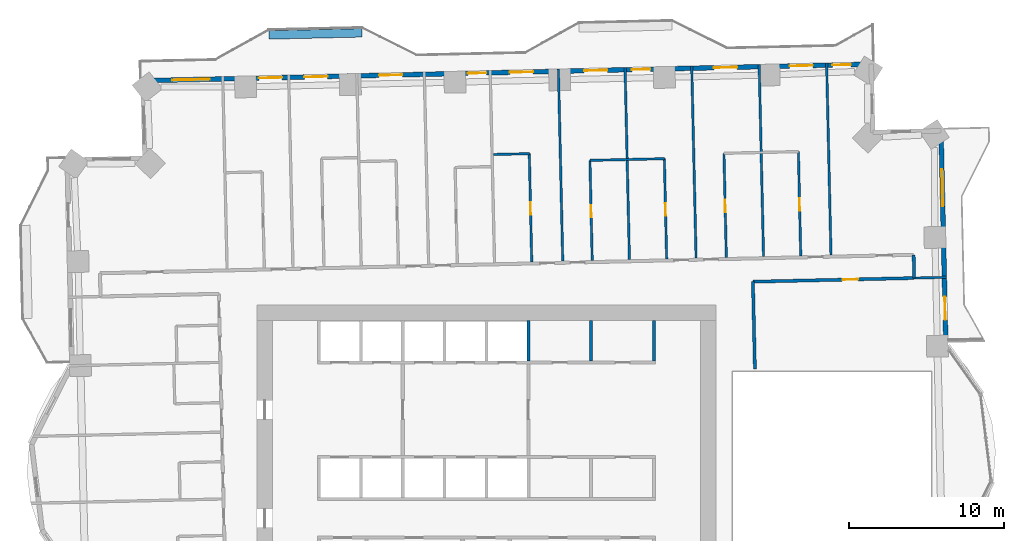
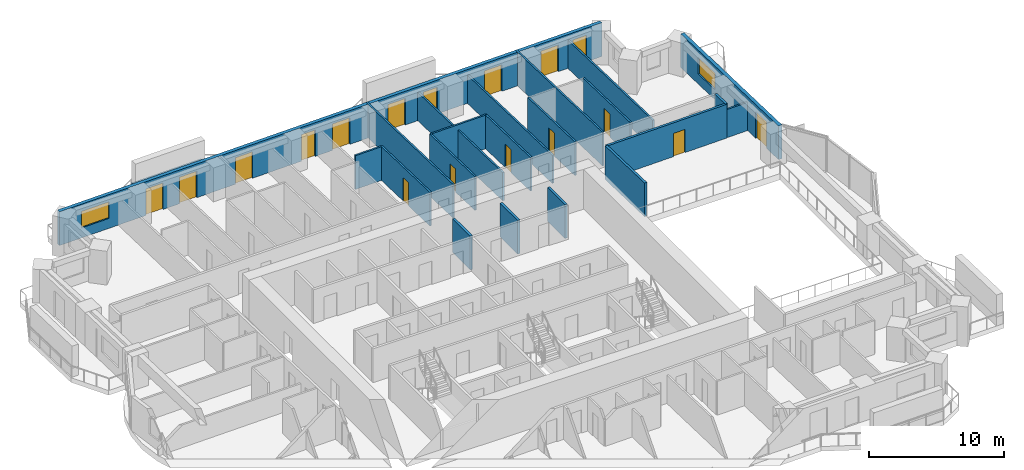
# One storey, part 12 of 17: 22 walls, 17 doors, 2 windows, 19 openings.
"""IFC4 building model written with IfcOpenShell, lengths in metres."""

from ifc_helpers import new_model, si_unit, direction, frame, frame_2d, origin, place, context, subcontext, project, spatial, rectangle, extrude, material, layer, layer_set, type_object, element, fill, save


model = new_model("IFC4")

# Units and contexts
model_context = context("Model", 3, precision=1e-05, world=origin(), true_north=direction((0.0, 1.0)))
body_context = subcontext(model_context, "Body", "Model", "MODEL_VIEW")
ifc_project = project(units=[si_unit("LENGTHUNIT", "METRE"), si_unit("AREAUNIT", "SQUARE_METRE"), si_unit("VOLUMEUNIT", "CUBIC_METRE"), si_unit("PLANEANGLEUNIT", "RADIAN"), si_unit("MASSUNIT", "GRAM", prefix="KILO")], contexts=[model_context])

# Site, building, storey
site_placement = place(None, origin())
site = spatial("IfcSite", under=ifc_project, at=site_placement, CompositionType="ELEMENT")
building_placement = place(site_placement, origin())
building = spatial("IfcBuilding", under=site, at=building_placement, Name="Mangrove Gate Tower", CompositionType="ELEMENT")
storey_placement = place(building_placement, frame((0.0, 0.0, 90.10009765625)))
storey = spatial("IfcBuildingStorey", under=building, at=storey_placement, Name="L22", CompositionType="ELEMENT", Elevation=90.10009765625)

# Walls
ifc_material_1 = material(Name="Concrete C32/40", Category="concrete")
ifc_layer_1 = layer(ifc_material_1, 0.199951171875)
ifc_layer_set_1 = layer_set([ifc_layer_1], Name="Core room wall 200 C32/40")
wall_type_1 = type_object("IfcWallType", Name="Core room wall 200 C32/40", PredefinedType="STANDARD", material=ifc_layer_set_1)
for number, where, z_axis, x_axis, name in (
    (1, (6.75, 8.199951171875, 0.0), (0.0, 0.0, 1.0), (0.0, 1.0, 0.0), "WALL-L22-CORE-33"),
    (2, (10.800048828125, 8.199951171875, 0.0), (0.0, 0.0, 1.0), (0.0, 1.0, 0.0), "WALL-L22-CORE-34"),
):
    element("IfcWall", number, at=place(storey_placement, frame(where, z_axis=z_axis, x_axis=x_axis)), inside=storey, type_object=wall_type_1, Name=name, PredefinedType="STANDARD", context=body_context, shape_type="SweptSolid", body=[
        extrude(rectangle(XDim=2.60009765625, YDim=0.199951171875, at=frame_2d((1.300048828125, 0.0))), origin(), (0.0, 0.0, 1.0), 3.0498046875),
    ])
ifc_material_2 = material(Name="Concrete C70/85", Category="concrete")
ifc_layer_2 = layer(ifc_material_2, 0.199951171875)
ifc_layer_set_2 = layer_set([ifc_layer_2], Name="Core shaft wall 200 C70/85")
wall_type_2 = type_object("IfcWallType", Name="Core shaft wall 200 C70/85", PredefinedType="SHEAR", material=ifc_layer_set_2)
wall_1_placement = place(storey_placement, frame((2.699951171875, 8.199951171875, 0.0), z_axis=(0.0, 0.0, 1.0), x_axis=(0.0, 1.0, 0.0)))
element("IfcWall", 3, at=wall_1_placement, inside=storey, type_object=wall_type_2, Name="WALL-L22-CORE-32", PredefinedType="SHEAR", context=body_context, shape_type="SweptSolid", body=[
    extrude(rectangle(XDim=2.60009765625, YDim=0.199951171875, at=frame_2d((1.300048828125, 0.0))), origin(), (0.0, 0.0, 1.0), 3.0498046875),
])
ifc_material_3 = material(Name="Gypsum board on steel stud, EI 60", Category="steel")
ifc_layer_3 = layer(ifc_material_3, 0.199951171875)
ifc_layer_set_3 = layer_set([ifc_layer_3], Name="Corridor wall EI 60")
wall_type_3 = type_object("IfcWallType", Name="Corridor wall EI 60", PredefinedType="PARTITIONING", material=ifc_layer_set_3)
wall_2_placement = place(storey_placement, frame((17.306884765625, 7.68603515625, 0.0), z_axis=(0.0, 0.0, 1.0), x_axis=(-0.022584272568, 0.999744942789, 0.0)))
element("IfcWall", 4, at=wall_2_placement, inside=storey, type_object=wall_type_3, Name="WALL-L22-049", PredefinedType="PARTITIONING", context=body_context, shape_type="SweptSolid", body=[
    extrude(rectangle(XDim=5.621337890625, YDim=0.199951171875, at=frame_2d((2.810546875, 0.0))), origin(), (0.0, 0.0, 1.0), 3.0498046875),
])

# Wall, opening, door
wall_3_placement = place(storey_placement, frame((17.176025390625, 13.305908203125, 0.0), z_axis=(0.0, 0.0, 1.0), x_axis=(0.999742295888, 0.022701141223, 0.0)))
wall_3 = element("IfcWall", 5, at=wall_3_placement, inside=storey, type_object=wall_type_3, Name="WALL-L22-056", PredefinedType="PARTITIONING", context=body_context, shape_type="SweptSolid", body=[
    extrude(rectangle(XDim=10.399658203125, YDim=0.199951171875, at=frame_2d((5.19970703125, 0.0))), origin(), (0.0, 0.0, 1.0), 3.0498046875),
])
opening_1_placement = place(wall_3_placement, frame((5.782958984375, 0.0, 0.0)))
opening_1 = element("IfcOpeningElement", 6, at=opening_1_placement, cuts=wall_3, Name="Opening AD", PredefinedType="OPENING", context=body_context, shape_type="SweptSolid", body=[
    extrude(rectangle(XDim=1.0, YDim=2.10009765625, at=frame_2d((0.5, 1.050048828125))), frame((0.0, 0.10986328125, 0.0), z_axis=(0.0, -1.0, 0.0), x_axis=(1.0, 0.0, 0.0)), (0.0, 0.0, 1.0), 0.219970703125),
])
ifc_material_4 = material(Name="Timber door leaf", Category="wood")
door_type_1 = type_object("IfcDoorType", Name="Amenity door 1000", OperationType="SINGLE_SWING_LEFT", PredefinedType="DOOR", material=ifc_material_4)
door_1_placement = place(opening_1_placement, origin())
door_1 = element("IfcDoor", 7, at=door_1_placement, inside=storey, type_object=door_type_1, Name="DOOR-L22-KIT-c3a", OperationType="SINGLE_SWING_RIGHT", OverallHeight=2.10009765625, OverallWidth=1.0, PredefinedType="DOOR", context=body_context, shape_type="SweptSolid", body=[
    extrude(rectangle(XDim=1.0, YDim=2.10009765625, at=frame_2d((0.5, 1.050048828125))), frame((0.0, 0.02490234375, 0.0), z_axis=(0.0, -1.0, 0.0), x_axis=(1.0, 0.0, 0.0)), (0.0, 0.0, 1.0), 0.050048828125),
])
fill(opening_1, door_1)

# Wall
wall_4_placement = place(storey_placement, frame((27.576904296875, 13.5419921875, 0.0), z_axis=(0.0, 0.0, 1.0), x_axis=(-0.022617910375, 0.999744182344, 0.0)))
element("IfcWall", 8, at=wall_4_placement, inside=storey, type_object=wall_type_3, Name="WALL-L22-058", PredefinedType="PARTITIONING", context=body_context, shape_type="SweptSolid", body=[
    extrude(rectangle(XDim=1.50048828125, YDim=0.199951171875, at=frame_2d((0.750244140625, 0.0))), origin(), (0.0, 0.0, 1.0), 3.0498046875),
])

# Wall, openings, door, window
ifc_material_5 = material(Name="Limestone", Category="masonry")
ifc_layer_4 = layer(ifc_material_5, 0.0400390625, Name="Limestone cladding")
ifc_material_6 = material(Name="Ventilated air gap")
ifc_layer_5 = layer(ifc_material_6, 0.0400390625, Name="Ventilated cavity")
ifc_material_7 = material(Name="Mineral wool insulation")
ifc_layer_6 = layer(ifc_material_7, 0.06005859375, Name="Insulation")
ifc_material_8 = material(Name="Breather membrane")
ifc_layer_7 = layer(ifc_material_8, 0.001953125, Name="Breather membrane")
ifc_material_9 = material(Name="Concrete C20/25 blockwork", Category="masonry")
ifc_layer_8 = layer(ifc_material_9, 0.14990234375, Name="Blockwork backing wall")
ifc_material_10 = material(Name="Gypsum plaster")
ifc_layer_9 = layer(ifc_material_10, 0.008056640625, Name="Internal plaster")
ifc_layer_set_4 = layer_set([ifc_layer_4, ifc_layer_5, ifc_layer_6, ifc_layer_7, ifc_layer_8, ifc_layer_9], Name="External wall 300 limestone cladding")
wall_type_4 = type_object("IfcWallType", Name="External wall 300 limestone cladding", PredefinedType="SOLIDWALL", material=ifc_layer_set_4)
wall_5_placement = place(storey_placement, frame((29.6240234375, 9.10791015625, 0.0), z_axis=(0.0, 0.0, 1.0), x_axis=(-0.022679601751, 0.999742784752, 0.0)))
wall_5 = element("IfcWall", 9, at=wall_5_placement, inside=storey, type_object=wall_type_4, Name="WALL-L22-E2", PredefinedType="SOLIDWALL", context=body_context, shape_type="SweptSolid", body=[
    extrude(rectangle(XDim=13.9296875, YDim=0.300048828125, at=frame_2d((6.96484375, 0.0))), origin(), (0.0, 0.0, 1.0), 3.0498046875),
])
opening_2_placement = place(wall_5_placement, frame((1.741943359375, 0.0, 0.0)))
opening_2 = element("IfcOpeningElement", 10, at=opening_2_placement, cuts=wall_5, Name="Opening BD1", PredefinedType="OPENING", context=body_context, shape_type="SweptSolid", body=[
    extrude(rectangle(XDim=1.5, YDim=2.39990234375, at=frame_2d((0.75, 1.199951171875))), frame((0.0, 0.159912109375, 0.0), z_axis=(0.0, -1.0, 0.0), x_axis=(1.0, 0.0, 0.0)), (0.0, 0.0, 1.0), 0.320068359375),
])
opening_3_placement = place(wall_5_placement, frame((9.053955078125, 0.0, 0.89990234375)))
opening_3 = element("IfcOpeningElement", 11, at=opening_3_placement, cuts=wall_5, Name="Opening W2", PredefinedType="OPENING", context=body_context, shape_type="SweptSolid", body=[
    extrude(rectangle(XDim=2.39990234375, YDim=1.5, at=frame_2d((1.199951171875, 0.75))), frame((0.0, 0.159912109375, 0.0), z_axis=(0.0, -1.0, 0.0), x_axis=(1.0, 0.0, 0.0)), (0.0, 0.0, 1.0), 0.320068359375),
])
ifc_material_11 = material(Name="Aluminium frame with laminated clear glass", Category="aluminium")
door_type_2 = type_object("IfcDoorType", Name="Balcony sliding door 1500x2400", OperationType="SLIDING_TO_LEFT", PredefinedType="DOOR", material=ifc_material_11)
door_2_placement = place(opening_2_placement, origin())
door_2 = element("IfcDoor", 12, at=door_2_placement, inside=storey, type_object=door_type_2, Name="DOOR-L22-E2-1", OperationType="SLIDING_TO_LEFT", OverallHeight=2.39990234375, OverallWidth=1.5, PredefinedType="DOOR", context=body_context, shape_type="SweptSolid", body=[
    extrude(rectangle(XDim=1.5, YDim=2.39990234375, at=frame_2d((0.75, 1.199951171875))), frame((0.0, 0.02490234375, 0.0), z_axis=(0.0, -1.0, 0.0), x_axis=(1.0, 0.0, 0.0)), (0.0, 0.0, 1.0), 0.050048828125),
])
fill(opening_2, door_2)
ifc_material_12 = material(Name="Aluminium frame with double-glazed low-e glass", Category="aluminium")
window_type = type_object("IfcWindowType", Name="Corner room window 2400x1500", PartitioningType="DOUBLE_PANEL_VERTICAL", PredefinedType="WINDOW", material=ifc_material_12)
window_1_placement = place(opening_3_placement, origin())
window_1 = element("IfcWindow", 13, at=window_1_placement, inside=storey, type_object=window_type, Name="WIN-L22-E2-2", OverallHeight=1.5, OverallWidth=2.39990234375, PartitioningType="DOUBLE_PANEL_VERTICAL", PredefinedType="WINDOW", context=body_context, shape_type="SweptSolid", body=[
    extrude(rectangle(XDim=2.39990234375, YDim=1.5, at=frame_2d((1.199951171875, 0.75))), frame((0.0, 0.030029296875, 0.0), z_axis=(0.0, -1.0, 0.0), x_axis=(1.0, 0.0, 0.0)), (0.0, 0.0, 1.0), 0.06005859375),
])
fill(opening_3, window_1)

# Wall, openings, doors, window
wall_6_placement = place(storey_placement, frame((24.80908203125, 27.3330078125, 0.0), z_axis=(0.0, 0.0, 1.0), x_axis=(-0.999742489858, -0.022692597327, 0.0)))
wall_6 = element("IfcWall", 14, at=wall_6_placement, inside=storey, type_object=wall_type_4, Name="WALL-L22-N5", PredefinedType="SOLIDWALL", context=body_context, shape_type="SweptSolid", body=[
    extrude(rectangle(XDim=46.97216796875, YDim=0.300048828125, at=frame_2d((23.486083984375, 0.0))), origin(), (0.0, 0.0, 1.0), 3.0498046875),
])
opening_4_placement = place(wall_6_placement, frame((1.31103515625, 0.0, 0.0)))
opening_4 = element("IfcOpeningElement", 15, at=opening_4_placement, cuts=wall_6, Name="Opening BD2", PredefinedType="OPENING", context=body_context, shape_type="SweptSolid", body=[
    extrude(rectangle(XDim=1.199951171875, YDim=2.39990234375, at=frame_2d((0.60009765625, 1.199951171875))), frame((0.0, 0.159912109375, 0.0), z_axis=(0.0, -1.0, 0.0), x_axis=(1.0, 0.0, 0.0)), (0.0, 0.0, 1.0), 0.320068359375),
])
opening_5_placement = place(wall_6_placement, frame((3.762939453125, 0.0, 0.0)))
opening_5 = element("IfcOpeningElement", 16, at=opening_5_placement, cuts=wall_6, Name="Opening BD1", PredefinedType="OPENING", context=body_context, shape_type="SweptSolid", body=[
    extrude(rectangle(XDim=1.5, YDim=2.39990234375, at=frame_2d((0.75, 1.199951171875))), frame((0.0, 0.159912109375, 0.0), z_axis=(0.0, -1.0, 0.0), x_axis=(1.0, 0.0, 0.0)), (0.0, 0.0, 1.0), 0.320068359375),
])
opening_6_placement = place(wall_6_placement, frame((8.64697265625, 0.0, 0.0)))
opening_6 = element("IfcOpeningElement", 17, at=opening_6_placement, cuts=wall_6, Name="Opening BD1", PredefinedType="OPENING", context=body_context, shape_type="SweptSolid", body=[
    extrude(rectangle(XDim=1.5, YDim=2.39990234375, at=frame_2d((0.75, 1.199951171875))), frame((0.0, 0.159912109375, 0.0), z_axis=(0.0, -1.0, 0.0), x_axis=(1.0, 0.0, 0.0)), (0.0, 0.0, 1.0), 0.320068359375),
])
opening_7_placement = place(wall_6_placement, frame((14.239013671875, 0.0, 0.0)))
opening_7 = element("IfcOpeningElement", 18, at=opening_7_placement, cuts=wall_6, Name="Opening BD2", PredefinedType="OPENING", context=body_context, shape_type="SweptSolid", body=[
    extrude(rectangle(XDim=1.199951171875, YDim=2.39990234375, at=frame_2d((0.60009765625, 1.199951171875))), frame((0.0, 0.159912109375, 0.0), z_axis=(0.0, -1.0, 0.0), x_axis=(1.0, 0.0, 0.0)), (0.0, 0.0, 1.0), 0.320068359375),
])
opening_8_placement = place(wall_6_placement, frame((17.01611328125, 0.0, 0.0)))
opening_8 = element("IfcOpeningElement", 19, at=opening_8_placement, cuts=wall_6, Name="Opening BD1", PredefinedType="OPENING", context=body_context, shape_type="SweptSolid", body=[
    extrude(rectangle(XDim=1.5, YDim=2.39990234375, at=frame_2d((0.75, 1.199951171875))), frame((0.0, 0.159912109375, 0.0), z_axis=(0.0, -1.0, 0.0), x_axis=(1.0, 0.0, 0.0)), (0.0, 0.0, 1.0), 0.320068359375),
])
opening_9_placement = place(wall_6_placement, frame((21.81591796875, 0.0, 0.0)))
opening_9 = element("IfcOpeningElement", 20, at=opening_9_placement, cuts=wall_6, Name="Opening BD1", PredefinedType="OPENING", context=body_context, shape_type="SweptSolid", body=[
    extrude(rectangle(XDim=1.5, YDim=2.39990234375, at=frame_2d((0.75, 1.199951171875))), frame((0.0, 0.159912109375, 0.0), z_axis=(0.0, -1.0, 0.0), x_axis=(1.0, 0.0, 0.0)), (0.0, 0.0, 1.0), 0.320068359375),
])
opening_10_placement = place(wall_6_placement, frame((24.81689453125, 0.0, 0.0)))
opening_10 = element("IfcOpeningElement", 21, at=opening_10_placement, cuts=wall_6, Name="Opening BD2", PredefinedType="OPENING", context=body_context, shape_type="SweptSolid", body=[
    extrude(rectangle(XDim=1.199951171875, YDim=2.39990234375, at=frame_2d((0.60009765625, 1.199951171875))), frame((0.0, 0.159912109375, 0.0), z_axis=(0.0, -1.0, 0.0), x_axis=(1.0, 0.0, 0.0)), (0.0, 0.0, 1.0), 0.320068359375),
])
opening_11_placement = place(wall_6_placement, frame((30.243896484375, 0.0, 0.0)))
opening_11 = element("IfcOpeningElement", 22, at=opening_11_placement, cuts=wall_6, Name="Opening BD1", PredefinedType="OPENING", context=body_context, shape_type="SweptSolid", body=[
    extrude(rectangle(XDim=1.5, YDim=2.39990234375, at=frame_2d((0.75, 1.199951171875))), frame((0.0, 0.159912109375, 0.0), z_axis=(0.0, -1.0, 0.0), x_axis=(1.0, 0.0, 0.0)), (0.0, 0.0, 1.0), 0.320068359375),
])
opening_12_placement = place(wall_6_placement, frame((35.069091796875, 0.0, 0.0)))
opening_12 = element("IfcOpeningElement", 23, at=opening_12_placement, cuts=wall_6, Name="Opening BD1", PredefinedType="OPENING", context=body_context, shape_type="SweptSolid", body=[
    extrude(rectangle(XDim=1.5, YDim=2.39990234375, at=frame_2d((0.75, 1.199951171875))), frame((0.0, 0.159912109375, 0.0), z_axis=(0.0, -1.0, 0.0), x_axis=(1.0, 0.0, 0.0)), (0.0, 0.0, 1.0), 0.320068359375),
])
opening_13_placement = place(wall_6_placement, frame((37.9951171875, 0.0, 0.0)))
opening_13 = element("IfcOpeningElement", 24, at=opening_13_placement, cuts=wall_6, Name="Opening BD1", PredefinedType="OPENING", context=body_context, shape_type="SweptSolid", body=[
    extrude(rectangle(XDim=1.5, YDim=2.39990234375, at=frame_2d((0.75, 1.199951171875))), frame((0.0, 0.159912109375, 0.0), z_axis=(0.0, -1.0, 0.0), x_axis=(1.0, 0.0, 0.0)), (0.0, 0.0, 1.0), 0.320068359375),
])
opening_14_placement = place(wall_6_placement, frame((42.674072265625, 0.0, 0.89990234375)))
opening_14 = element("IfcOpeningElement", 25, at=opening_14_placement, cuts=wall_6, Name="Opening W2", PredefinedType="OPENING", context=body_context, shape_type="SweptSolid", body=[
    extrude(rectangle(XDim=2.39990234375, YDim=1.5, at=frame_2d((1.199951171875, 0.75))), frame((0.0, 0.159912109375, 0.0), z_axis=(0.0, -1.0, 0.0), x_axis=(1.0, 0.0, 0.0)), (0.0, 0.0, 1.0), 0.320068359375),
])
ifc_material_13 = material(Name="Aluminium frame with laminated clear glass", Category="aluminium")
door_type_3 = type_object("IfcDoorType", Name="Balcony sliding door 1200x2400", OperationType="SLIDING_TO_LEFT", PredefinedType="DOOR", material=ifc_material_13)
door_3_placement = place(opening_4_placement, origin())
door_3 = element("IfcDoor", 26, at=door_3_placement, inside=storey, type_object=door_type_3, Name="DOOR-L22-N5-1", OperationType="SLIDING_TO_LEFT", OverallHeight=2.39990234375, OverallWidth=1.199951171875, PredefinedType="DOOR", context=body_context, shape_type="SweptSolid", body=[
    extrude(rectangle(XDim=1.199951171875, YDim=2.39990234375, at=frame_2d((0.60009765625, 1.199951171875))), frame((0.0, 0.02490234375, 0.0), z_axis=(0.0, -1.0, 0.0), x_axis=(1.0, 0.0, 0.0)), (0.0, 0.0, 1.0), 0.050048828125),
])
fill(opening_4, door_3)
door_4_placement = place(opening_7_placement, origin())
door_4 = element("IfcDoor", 27, at=door_4_placement, inside=storey, type_object=door_type_3, Name="DOOR-L22-N5-4", OperationType="SLIDING_TO_LEFT", OverallHeight=2.39990234375, OverallWidth=1.199951171875, PredefinedType="DOOR", context=body_context, shape_type="SweptSolid", body=[
    extrude(rectangle(XDim=1.199951171875, YDim=2.39990234375, at=frame_2d((0.60009765625, 1.199951171875))), frame((0.0, 0.02490234375, 0.0), z_axis=(0.0, -1.0, 0.0), x_axis=(1.0, 0.0, 0.0)), (0.0, 0.0, 1.0), 0.050048828125),
])
fill(opening_7, door_4)
door_5_placement = place(opening_10_placement, origin())
door_5 = element("IfcDoor", 28, at=door_5_placement, inside=storey, type_object=door_type_3, Name="DOOR-L22-N5-7", OperationType="SLIDING_TO_LEFT", OverallHeight=2.39990234375, OverallWidth=1.199951171875, PredefinedType="DOOR", context=body_context, shape_type="SweptSolid", body=[
    extrude(rectangle(XDim=1.199951171875, YDim=2.39990234375, at=frame_2d((0.60009765625, 1.199951171875))), frame((0.0, 0.02490234375, 0.0), z_axis=(0.0, -1.0, 0.0), x_axis=(1.0, 0.0, 0.0)), (0.0, 0.0, 1.0), 0.050048828125),
])
fill(opening_10, door_5)
door_6_placement = place(opening_5_placement, origin())
door_6 = element("IfcDoor", 29, at=door_6_placement, inside=storey, type_object=door_type_2, Name="DOOR-L22-N5-2", OperationType="SLIDING_TO_LEFT", OverallHeight=2.39990234375, OverallWidth=1.5, PredefinedType="DOOR", context=body_context, shape_type="SweptSolid", body=[
    extrude(rectangle(XDim=1.5, YDim=2.39990234375, at=frame_2d((0.75, 1.199951171875))), frame((0.0, 0.02490234375, 0.0), z_axis=(0.0, -1.0, 0.0), x_axis=(1.0, 0.0, 0.0)), (0.0, 0.0, 1.0), 0.050048828125),
])
fill(opening_5, door_6)
door_7_placement = place(opening_6_placement, origin())
door_7 = element("IfcDoor", 30, at=door_7_placement, inside=storey, type_object=door_type_2, Name="DOOR-L22-N5-3", OperationType="SLIDING_TO_LEFT", OverallHeight=2.39990234375, OverallWidth=1.5, PredefinedType="DOOR", context=body_context, shape_type="SweptSolid", body=[
    extrude(rectangle(XDim=1.5, YDim=2.39990234375, at=frame_2d((0.75, 1.199951171875))), frame((0.0, 0.02490234375, 0.0), z_axis=(0.0, -1.0, 0.0), x_axis=(1.0, 0.0, 0.0)), (0.0, 0.0, 1.0), 0.050048828125),
])
fill(opening_6, door_7)
door_8_placement = place(opening_8_placement, origin())
door_8 = element("IfcDoor", 31, at=door_8_placement, inside=storey, type_object=door_type_2, Name="DOOR-L22-N5-5", OperationType="SLIDING_TO_LEFT", OverallHeight=2.39990234375, OverallWidth=1.5, PredefinedType="DOOR", context=body_context, shape_type="SweptSolid", body=[
    extrude(rectangle(XDim=1.5, YDim=2.39990234375, at=frame_2d((0.75, 1.199951171875))), frame((0.0, 0.02490234375, 0.0), z_axis=(0.0, -1.0, 0.0), x_axis=(1.0, 0.0, 0.0)), (0.0, 0.0, 1.0), 0.050048828125),
])
fill(opening_8, door_8)
door_9_placement = place(opening_9_placement, origin())
door_9 = element("IfcDoor", 32, at=door_9_placement, inside=storey, type_object=door_type_2, Name="DOOR-L22-N5-6", OperationType="SLIDING_TO_LEFT", OverallHeight=2.39990234375, OverallWidth=1.5, PredefinedType="DOOR", context=body_context, shape_type="SweptSolid", body=[
    extrude(rectangle(XDim=1.5, YDim=2.39990234375, at=frame_2d((0.75, 1.199951171875))), frame((0.0, 0.02490234375, 0.0), z_axis=(0.0, -1.0, 0.0), x_axis=(1.0, 0.0, 0.0)), (0.0, 0.0, 1.0), 0.050048828125),
])
fill(opening_9, door_9)
door_10_placement = place(opening_11_placement, origin())
door_10 = element("IfcDoor", 33, at=door_10_placement, inside=storey, type_object=door_type_2, Name="DOOR-L22-N5-8", OperationType="SLIDING_TO_LEFT", OverallHeight=2.39990234375, OverallWidth=1.5, PredefinedType="DOOR", context=body_context, shape_type="SweptSolid", body=[
    extrude(rectangle(XDim=1.5, YDim=2.39990234375, at=frame_2d((0.75, 1.199951171875))), frame((0.0, 0.02490234375, 0.0), z_axis=(0.0, -1.0, 0.0), x_axis=(1.0, 0.0, 0.0)), (0.0, 0.0, 1.0), 0.050048828125),
])
fill(opening_11, door_10)
door_11_placement = place(opening_12_placement, origin())
door_11 = element("IfcDoor", 34, at=door_11_placement, inside=storey, type_object=door_type_2, Name="DOOR-L22-N5-9", OperationType="SLIDING_TO_LEFT", OverallHeight=2.39990234375, OverallWidth=1.5, PredefinedType="DOOR", context=body_context, shape_type="SweptSolid", body=[
    extrude(rectangle(XDim=1.5, YDim=2.39990234375, at=frame_2d((0.75, 1.199951171875))), frame((0.0, 0.02490234375, 0.0), z_axis=(0.0, -1.0, 0.0), x_axis=(1.0, 0.0, 0.0)), (0.0, 0.0, 1.0), 0.050048828125),
])
fill(opening_12, door_11)
door_12_placement = place(opening_13_placement, origin())
door_12 = element("IfcDoor", 35, at=door_12_placement, inside=storey, type_object=door_type_2, Name="DOOR-L22-N5-10", OperationType="SLIDING_TO_LEFT", OverallHeight=2.39990234375, OverallWidth=1.5, PredefinedType="DOOR", context=body_context, shape_type="SweptSolid", body=[
    extrude(rectangle(XDim=1.5, YDim=2.39990234375, at=frame_2d((0.75, 1.199951171875))), frame((0.0, 0.02490234375, 0.0), z_axis=(0.0, -1.0, 0.0), x_axis=(1.0, 0.0, 0.0)), (0.0, 0.0, 1.0), 0.050048828125),
])
fill(opening_13, door_12)
window_2_placement = place(opening_14_placement, origin())
window_2 = element("IfcWindow", 36, at=window_2_placement, inside=storey, type_object=window_type, Name="WIN-L22-N5-11", OverallHeight=1.5, OverallWidth=2.39990234375, PartitioningType="DOUBLE_PANEL_VERTICAL", PredefinedType="WINDOW", context=body_context, shape_type="SweptSolid", body=[
    extrude(rectangle(XDim=2.39990234375, YDim=1.5, at=frame_2d((1.199951171875, 0.75))), frame((0.0, 0.030029296875, 0.0), z_axis=(0.0, -1.0, 0.0), x_axis=(1.0, 0.0, 0.0)), (0.0, 0.0, 1.0), 0.06005859375),
])
fill(opening_14, window_2)

# Wall
ifc_material_14 = material(Name="Gypsum board on steel stud, EI 60", Category="steel")
ifc_layer_10 = layer(ifc_material_14, 0.14990234375)
ifc_layer_set_5 = layer_set([ifc_layer_10], Name="Party wall 150 EI 60")
wall_type_5 = type_object("IfcWallType", Name="Party wall 150 EI 60", PredefinedType="PARTITIONING", material=ifc_layer_set_5)
wall_7_placement = place(storey_placement, frame((27.572998046875, 13.5419921875, 0.0), z_axis=(0.0, 0.0, 1.0), x_axis=(0.999737616439, 0.022906293375, 0.0)))
element("IfcWall", 37, at=wall_7_placement, inside=storey, type_object=wall_type_5, Name="WALL-L22-057", PredefinedType="PARTITIONING", context=body_context, shape_type="SweptSolid", body=[
    extrude(rectangle(XDim=2.099609375, YDim=0.14990234375, at=frame_2d((1.0498046875, 0.0))), origin(), (0.0, 0.0, 1.0), 2.5498046875),
])

# Wall, opening, door
wall_8_placement = place(storey_placement, frame((2.9169921875, 14.5830078125, 0.0), z_axis=(0.0, 0.0, 1.0), x_axis=(-0.022630826984, 0.999743890039, 0.0)))
wall_8 = element("IfcWall", 38, at=wall_8_placement, inside=storey, type_object=wall_type_5, Name="WALL-L22-069", PredefinedType="PARTITIONING", context=body_context, shape_type="SweptSolid", body=[
    extrude(rectangle(XDim=6.979736328125, YDim=0.14990234375, at=frame_2d((3.48974609375, 0.0))), origin(), (0.0, 0.0, 1.0), 3.0498046875),
])
opening_15_placement = place(wall_8_placement, frame((3.0400390625, 0.0, 0.0)))
opening_15 = element("IfcOpeningElement", 39, at=opening_15_placement, cuts=wall_8, Name="Opening ED", PredefinedType="OPENING", context=body_context, shape_type="SweptSolid", body=[
    extrude(rectangle(XDim=0.800048828125, YDim=2.10009765625, at=frame_2d((0.39990234375, 1.050048828125))), frame((0.0, 0.0849609375, 0.0), z_axis=(0.0, -1.0, 0.0), x_axis=(1.0, 0.0, 0.0)), (0.0, 0.0, 1.0), 0.169921875),
])
ifc_material_15 = material(Name="Timber door leaf", Category="wood")
door_type_4 = type_object("IfcDoorType", Name="En-suite door 800", OperationType="SINGLE_SWING_LEFT", PredefinedType="DOOR", material=ifc_material_15)
door_13_placement = place(opening_15_placement, origin())
door_13 = element("IfcDoor", 40, at=door_13_placement, inside=storey, type_object=door_type_4, Name="DOOR-L22-ENS-c413", OperationType="SINGLE_SWING_LEFT", OverallHeight=2.10009765625, OverallWidth=0.800048828125, PredefinedType="DOOR", context=body_context, shape_type="SweptSolid", body=[
    extrude(rectangle(XDim=0.800048828125, YDim=2.10009765625, at=frame_2d((0.39990234375, 1.050048828125))), frame((0.0, 0.02490234375, 0.0), z_axis=(0.0, -1.0, 0.0), x_axis=(1.0, 0.0, 0.0)), (0.0, 0.0, 1.0), 0.050048828125),
])
fill(opening_15, door_13)

# Wall
wall_9_placement = place(storey_placement, frame((4.916015625, 14.62890625, 0.0), z_axis=(0.0, 0.0, 1.0), x_axis=(-0.022663260168, 0.999743155335, 0.0)))
element("IfcWall", 41, at=wall_9_placement, inside=storey, type_object=wall_type_5, Name="WALL-L22-070", PredefinedType="PARTITIONING", context=body_context, shape_type="SweptSolid", body=[
    extrude(rectangle(XDim=12.399169921875, YDim=0.14990234375, at=frame_2d((6.19970703125, 0.0))), origin(), (0.0, 0.0, 1.0), 3.0498046875),
])

# Wall, opening, door
wall_10_placement = place(storey_placement, frame((6.81591796875, 14.672119140625, 0.0), z_axis=(0.0, 0.0, 1.0), x_axis=(-0.022753171905, 0.999741113073, 0.0)))
wall_10 = element("IfcWall", 42, at=wall_10_placement, inside=storey, type_object=wall_type_5, Name="WALL-L22-071", PredefinedType="PARTITIONING", context=body_context, shape_type="SweptSolid", body=[
    extrude(rectangle(XDim=6.45947265625, YDim=0.14990234375, at=frame_2d((3.229736328125, 0.0))), origin(), (0.0, 0.0, 1.0), 3.0498046875),
])
opening_16_placement = place(wall_10_placement, frame((2.780029296875, 0.0, 0.0)))
opening_16 = element("IfcOpeningElement", 43, at=opening_16_placement, cuts=wall_10, Name="Opening ED", PredefinedType="OPENING", context=body_context, shape_type="SweptSolid", body=[
    extrude(rectangle(XDim=0.800048828125, YDim=2.10009765625, at=frame_2d((0.39990234375, 1.050048828125))), frame((0.0, 0.0849609375, 0.0), z_axis=(0.0, -1.0, 0.0), x_axis=(1.0, 0.0, 0.0)), (0.0, 0.0, 1.0), 0.169921875),
])
door_14_placement = place(opening_16_placement, origin())
door_14 = element("IfcDoor", 44, at=door_14_placement, inside=storey, type_object=door_type_4, Name="DOOR-L22-ENS-c412", OperationType="SINGLE_SWING_RIGHT", OverallHeight=2.10009765625, OverallWidth=0.800048828125, PredefinedType="DOOR", context=body_context, shape_type="SweptSolid", body=[
    extrude(rectangle(XDim=0.800048828125, YDim=2.10009765625, at=frame_2d((0.39990234375, 1.050048828125))), frame((0.0, 0.02490234375, 0.0), z_axis=(0.0, -1.0, 0.0), x_axis=(1.0, 0.0, 0.0)), (0.0, 0.0, 1.0), 0.050048828125),
])
fill(opening_16, door_14)

# Wall
wall_11_placement = place(storey_placement, frame((9.215087890625, 14.72607421875, 0.0), z_axis=(0.0, 0.0, 1.0), x_axis=(-0.022661475803, 0.999743195783, 0.0)))
element("IfcWall", 45, at=wall_11_placement, inside=storey, type_object=wall_type_5, Name="WALL-L22-072", PredefinedType="PARTITIONING", context=body_context, shape_type="SweptSolid", body=[
    extrude(rectangle(XDim=12.400146484375, YDim=0.14990234375, at=frame_2d((6.2001953125, 0.0))), origin(), (0.0, 0.0, 1.0), 2.5498046875),
])

# Wall, opening, door
wall_12_placement = place(storey_placement, frame((11.614990234375, 14.781005859375, 0.0), z_axis=(0.0, 0.0, 1.0), x_axis=(-0.022752312182, 0.999741132639, 0.0)))
wall_12 = element("IfcWall", 46, at=wall_12_placement, inside=storey, type_object=wall_type_5, Name="WALL-L22-073", PredefinedType="PARTITIONING", context=body_context, shape_type="SweptSolid", body=[
    extrude(rectangle(XDim=6.459716796875, YDim=0.14990234375, at=frame_2d((3.22998046875, 0.0))), origin(), (0.0, 0.0, 1.0), 3.0498046875),
])
opening_17_placement = place(wall_12_placement, frame((2.780029296875, 0.0, 0.0)))
opening_17 = element("IfcOpeningElement", 47, at=opening_17_placement, cuts=wall_12, Name="Opening ED", PredefinedType="OPENING", context=body_context, shape_type="SweptSolid", body=[
    extrude(rectangle(XDim=0.800048828125, YDim=2.10009765625, at=frame_2d((0.39990234375, 1.050048828125))), frame((0.0, 0.0849609375, 0.0), z_axis=(0.0, -1.0, 0.0), x_axis=(1.0, 0.0, 0.0)), (0.0, 0.0, 1.0), 0.169921875),
])
door_15_placement = place(opening_17_placement, origin())
door_15 = element("IfcDoor", 48, at=door_15_placement, inside=storey, type_object=door_type_4, Name="DOOR-L22-ENS-c311", OperationType="SINGLE_SWING_LEFT", OverallHeight=2.10009765625, OverallWidth=0.800048828125, PredefinedType="DOOR", context=body_context, shape_type="SweptSolid", body=[
    extrude(rectangle(XDim=0.800048828125, YDim=2.10009765625, at=frame_2d((0.39990234375, 1.050048828125))), frame((0.0, 0.02490234375, 0.0), z_axis=(0.0, -1.0, 0.0), x_axis=(1.0, 0.0, 0.0)), (0.0, 0.0, 1.0), 0.050048828125),
])
fill(opening_17, door_15)

# Wall
wall_13_placement = place(storey_placement, frame((13.513916015625, 14.823974609375, 0.0), z_axis=(0.0, 0.0, 1.0), x_axis=(-0.022661475803, 0.999743195783, 0.0)))
element("IfcWall", 49, at=wall_13_placement, inside=storey, type_object=wall_type_5, Name="WALL-L22-074", PredefinedType="PARTITIONING", context=body_context, shape_type="SweptSolid", body=[
    extrude(rectangle(XDim=12.400146484375, YDim=0.14990234375, at=frame_2d((6.2001953125, 0.0))), origin(), (0.0, 0.0, 1.0), 2.5498046875),
])

# Wall, opening, door
wall_14_placement = place(storey_placement, frame((15.464111328125, 14.867919921875, 0.0), z_axis=(0.0, 0.0, 1.0), x_axis=(-0.022780001265, 0.999740502102, 0.0)))
wall_14 = element("IfcWall", 50, at=wall_14_placement, inside=storey, type_object=wall_type_5, Name="WALL-L22-075", PredefinedType="PARTITIONING", context=body_context, shape_type="SweptSolid", body=[
    extrude(rectangle(XDim=6.7197265625, YDim=0.14990234375, at=frame_2d((3.35986328125, 0.0))), origin(), (0.0, 0.0, 1.0), 3.0498046875),
])
opening_18_placement = place(wall_14_placement, frame((2.909912109375, 0.0, 0.0)))
opening_18 = element("IfcOpeningElement", 51, at=opening_18_placement, cuts=wall_14, Name="Opening ED", PredefinedType="OPENING", context=body_context, shape_type="SweptSolid", body=[
    extrude(rectangle(XDim=0.800048828125, YDim=2.10009765625, at=frame_2d((0.39990234375, 1.050048828125))), frame((0.0, 0.0849609375, 0.0), z_axis=(0.0, -1.0, 0.0), x_axis=(1.0, 0.0, 0.0)), (0.0, 0.0, 1.0), 0.169921875),
])
door_16_placement = place(opening_18_placement, origin())
door_16 = element("IfcDoor", 52, at=door_16_placement, inside=storey, type_object=door_type_4, Name="DOOR-L22-ENS-c310", OperationType="SINGLE_SWING_RIGHT", OverallHeight=2.10009765625, OverallWidth=0.800048828125, PredefinedType="DOOR", context=body_context, shape_type="SweptSolid", body=[
    extrude(rectangle(XDim=0.800048828125, YDim=2.10009765625, at=frame_2d((0.39990234375, 1.050048828125))), frame((0.0, 0.02490234375, 0.0), z_axis=(0.0, -1.0, 0.0), x_axis=(1.0, 0.0, 0.0)), (0.0, 0.0, 1.0), 0.050048828125),
])
fill(opening_18, door_16)

# Wall
wall_15_placement = place(storey_placement, frame((17.863037109375, 14.922119140625, 0.0), z_axis=(0.0, 0.0, 1.0), x_axis=(-0.022661475803, 0.999743195783, 0.0)))
element("IfcWall", 53, at=wall_15_placement, inside=storey, type_object=wall_type_5, Name="WALL-L22-076", PredefinedType="PARTITIONING", context=body_context, shape_type="SweptSolid", body=[
    extrude(rectangle(XDim=12.400146484375, YDim=0.14990234375, at=frame_2d((6.2001953125, 0.0))), origin(), (0.0, 0.0, 1.0), 3.0498046875),
])

# Wall, opening, door
wall_16_placement = place(storey_placement, frame((20.261962890625, 14.97705078125, 0.0), z_axis=(0.0, 0.0, 1.0), x_axis=(-0.022598435707, 0.999744622743, 0.0)))
wall_16 = element("IfcWall", 54, at=wall_16_placement, inside=storey, type_object=wall_type_5, Name="WALL-L22-077", PredefinedType="PARTITIONING", context=body_context, shape_type="SweptSolid", body=[
    extrude(rectangle(XDim=6.7197265625, YDim=0.14990234375, at=frame_2d((3.35986328125, 0.0))), origin(), (0.0, 0.0, 1.0), 3.0498046875),
])
opening_19_placement = place(wall_16_placement, frame((2.909912109375, 0.0, 0.0)))
opening_19 = element("IfcOpeningElement", 55, at=opening_19_placement, cuts=wall_16, Name="Opening ED", PredefinedType="OPENING", context=body_context, shape_type="SweptSolid", body=[
    extrude(rectangle(XDim=0.800048828125, YDim=2.10009765625, at=frame_2d((0.39990234375, 1.050048828125))), frame((0.0, 0.0849609375, 0.0), z_axis=(0.0, -1.0, 0.0), x_axis=(1.0, 0.0, 0.0)), (0.0, 0.0, 1.0), 0.169921875),
])
door_17_placement = place(opening_19_placement, origin())
door_17 = element("IfcDoor", 56, at=door_17_placement, inside=storey, type_object=door_type_4, Name="DOOR-L22-ENS-c309", OperationType="SINGLE_SWING_LEFT", OverallHeight=2.10009765625, OverallWidth=0.800048828125, PredefinedType="DOOR", context=body_context, shape_type="SweptSolid", body=[
    extrude(rectangle(XDim=0.800048828125, YDim=2.10009765625, at=frame_2d((0.39990234375, 1.050048828125))), frame((0.0, 0.02490234375, 0.0), z_axis=(0.0, -1.0, 0.0), x_axis=(1.0, 0.0, 0.0)), (0.0, 0.0, 1.0), 0.050048828125),
])
fill(opening_19, door_17)

# Walls
wall_17_placement = place(storey_placement, frame((22.2119140625, 15.02099609375, 0.0), z_axis=(0.0, 0.0, 1.0), x_axis=(-0.022661475803, 0.999743195783, 0.0)))
element("IfcWall", 57, at=wall_17_placement, inside=storey, type_object=wall_type_5, Name="WALL-L22-078", PredefinedType="PARTITIONING", context=body_context, shape_type="SweptSolid", body=[
    extrude(rectangle(XDim=12.400146484375, YDim=0.14990234375, at=frame_2d((6.2001953125, 0.0))), origin(), (0.0, 0.0, 1.0), 2.5498046875),
])
wall_18_placement = place(storey_placement, frame((6.673095703125, 21.1298828125, 0.0), z_axis=(0.0, 0.0, 1.0), x_axis=(0.999741520352, 0.022735269617, 0.0)))
element("IfcWall", 58, at=wall_18_placement, inside=storey, type_object=wall_type_5, Name="WALL-L22-081", PredefinedType="PARTITIONING", context=body_context, shape_type="SweptSolid", body=[
    extrude(rectangle(XDim=4.800048828125, YDim=0.14990234375, at=frame_2d((2.39990234375, 0.0))), origin(), (0.0, 0.0, 1.0), 3.0498046875),
])
wall_19_placement = place(storey_placement, frame((0.43798828125, 21.509033203125, 0.0), z_axis=(0.0, 0.0, 1.0), x_axis=(0.999740478815, 0.022781023197, 0.0)))
element("IfcWall", 59, at=wall_19_placement, inside=storey, type_object=wall_type_5, Name="WALL-L22-085", PredefinedType="PARTITIONING", context=body_context, shape_type="SweptSolid", body=[
    extrude(rectangle(XDim=2.325439453125, YDim=0.14990234375, at=frame_2d((1.16259765625, 0.0))), origin(), (0.0, 0.0, 1.0), 3.0498046875),
])
ifc_material_16 = material(Name="Concrete C32/40", Category="concrete")
ifc_layer_11 = layer(ifc_material_16, 0.199951171875, Name="Planter trough wall")
ifc_material_17 = material(Name="Bituminous waterproofing membrane")
ifc_layer_12 = layer(ifc_material_17, 0.0048828125, Name="Waterproofing")
ifc_material_18 = material(Name="Drainage board and gravel")
ifc_layer_13 = layer(ifc_material_18, 0.044921875, Name="Drainage layer")
ifc_material_19 = material(Name="Planting soil")
ifc_layer_14 = layer(ifc_material_19, 0.300048828125, Name="Growing medium")
ifc_layer_set_6 = layer_set([ifc_layer_11, ifc_layer_12, ifc_layer_13, ifc_layer_14], Name="Planter wall 550 C32/40")
wall_type_6 = type_object("IfcWallType", Name="Planter wall 550 C32/40", PredefinedType="USERDEFINED", material=ifc_layer_set_6)
wall_20_placement = place(storey_placement, frame((-14.030029296875, 29.217041015625, 0.0), z_axis=(0.0, 0.0, 1.0), x_axis=(0.999739477659, 0.022824916448, 0.0)))
element("IfcWall", 60, at=wall_20_placement, inside=storey, type_object=wall_type_6, Name="PLANTER L22 N1.1", ObjectType="PLANTER", PredefinedType="USERDEFINED", context=body_context, shape_type="SweptSolid", body=[
    extrude(rectangle(XDim=6.00048828125, YDim=0.550048828125, at=frame_2d((3.000244140625, 0.0))), origin(), (0.0, 0.0, 1.0), 0.7998046875),
])

save(model, "model.ifc")
